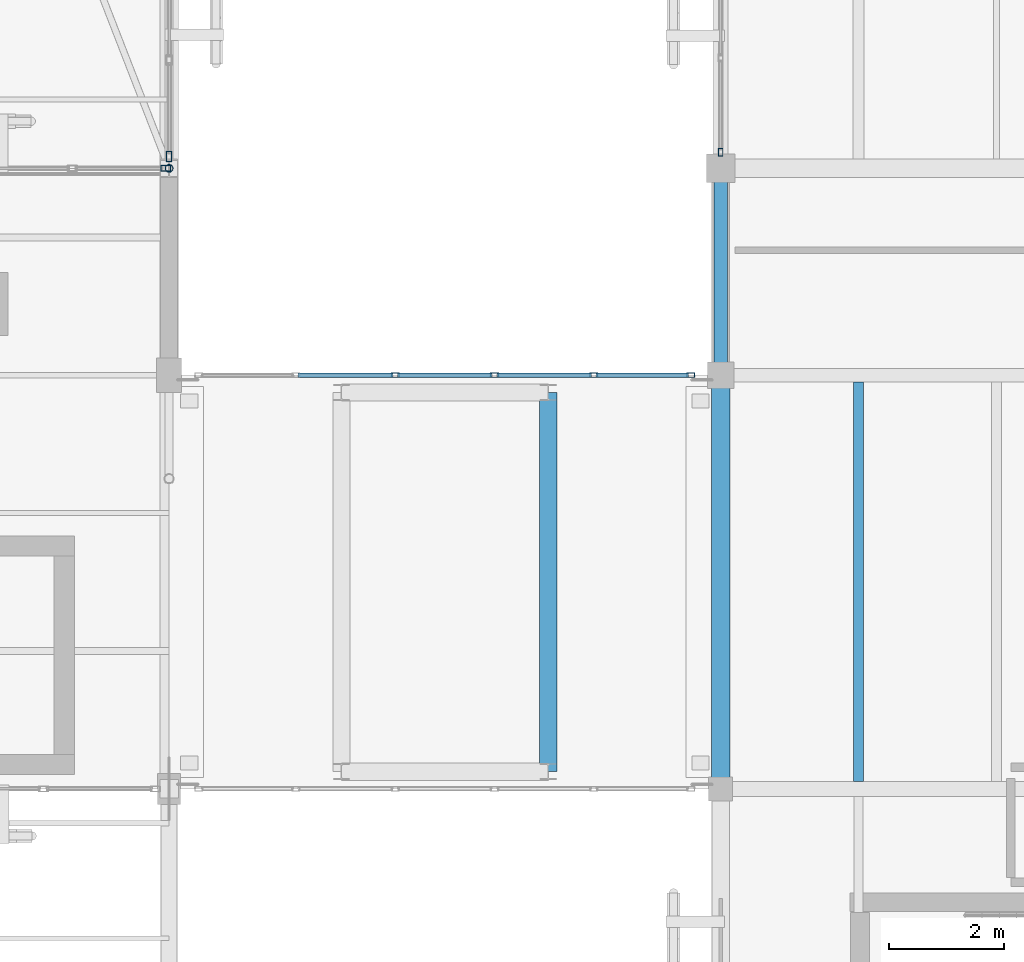
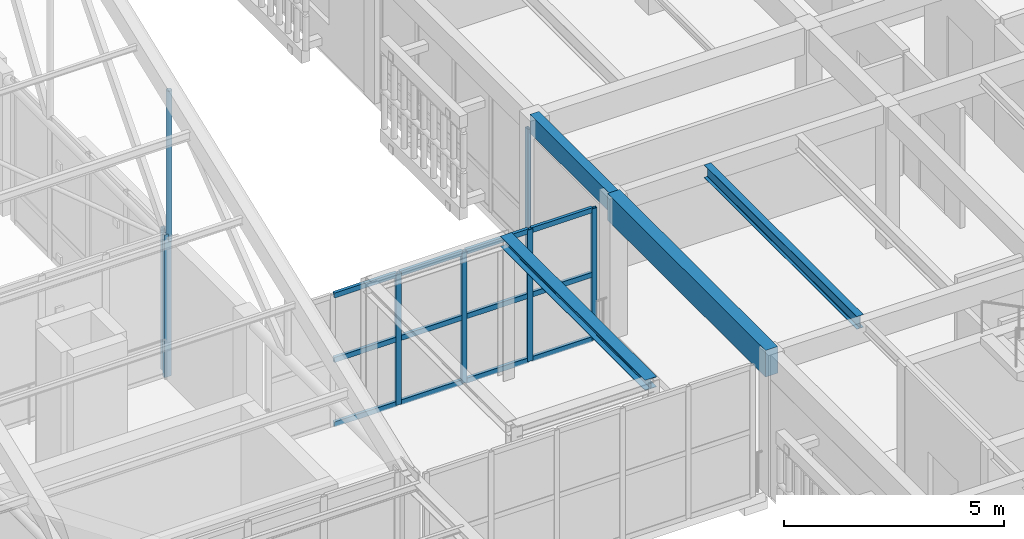
# One storey, part 109 of 217: 20 members, 4 beams, 4 elements without a shape of their own.
"""IFC4 building model written with IfcOpenShell, lengths in metres."""

import ifcopenshell
import ifcopenshell.guid

model = None  # the IFC model being written
_history = None  # IfcOwnerHistory: only IFC2X3 demands one
_inside = {}  # id of a spatial element -> (the spatial element, [elements in it])
_under = {}  # id of a project, library or spatial element -> (it, [spatial elements below it])
_declared = {}  # id of a project -> (the project, [libraries it declares])
_typed = {}  # id of a type object -> (the type object, [elements of that type])
_made_of = {}  # id of a material, layer set ... -> (it, [elements and type objects made of it])


def new_model(schema):
    """Start an empty IFC model of exactly this schema.

    Asked for "IFC4X3", IfcOpenShell would pick the latest addendum, in which some entities
    have other attributes; the version numbers below select the first issue.
    IFC2X3 requires an IfcOwnerHistory on every rooted entity: one is made here for all.
    """
    global model, _history
    if schema == "IFC4X3":
        model = ifcopenshell.file(schema_version=(4, 3, 0, 0))
    else:
        model = ifcopenshell.file(schema=schema)
    _inside.clear()
    _under.clear()
    _declared.clear()
    _typed.clear()
    _made_of.clear()
    _history = None
    if model.schema == "IFC2X3":
        org = make("IfcOrganization", Name="unknown")
        user = make(
            "IfcPersonAndOrganization",
            ThePerson=make("IfcPerson", FamilyName="unknown"),
            TheOrganization=org,
        )
        app = make(
            "IfcApplication",
            ApplicationDeveloper=org,
            Version="unknown",
            ApplicationFullName="unknown",
            ApplicationIdentifier="unknown",
        )
        _history = make(
            "IfcOwnerHistory",
            OwningUser=user,
            OwningApplication=app,
            ChangeAction="ADDED",
            CreationDate=0,
        )
    return model


def make(cls, **values):
    """One entity of the class cls with the attributes given. An attribute that is None is left unset."""
    return model.create_entity(
        cls, **{name: value for name, value in values.items() if value is not None}
    )


def rooted(cls, **values):
    """An entity with a GlobalId (a new one), such as an element, a storey or a relation."""
    return make(cls, GlobalId=ifcopenshell.guid.new(), OwnerHistory=_history, **values)


def si_unit(unit_type, name, prefix=None):
    """IfcSIUnit, for example si_unit("LENGTHUNIT", "METRE", prefix="MILLI")."""
    return make("IfcSIUnit", UnitType=unit_type, Prefix=prefix, Name=name)


def assignment(units):
    """IfcUnitAssignment: the units of a project."""
    return None if units is None else make("IfcUnitAssignment", Units=units)


def point(xyz):
    """IfcCartesianPoint."""
    return None if xyz is None else make("IfcCartesianPoint", Coordinates=xyz)


def direction(xyz):
    """IfcDirection."""
    return None if xyz is None else make("IfcDirection", DirectionRatios=xyz)


def frame(location, z_axis=None, x_axis=None):
    """IfcAxis2Placement3D, a coordinate frame: its origin and axes. An axis left out is left unset."""
    return make(
        "IfcAxis2Placement3D",
        Location=point(location),
        Axis=direction(z_axis),
        RefDirection=direction(x_axis),
    )


def frame_2d(location, x_axis=None):
    """IfcAxis2Placement2D, a coordinate frame in the plane: its origin and x axis."""
    return make(
        "IfcAxis2Placement2D", Location=point(location), RefDirection=direction(x_axis)
    )


def origin():
    """The frame at (0, 0, 0) with its axes left unset."""
    return frame((0.0, 0.0, 0.0))


def origin_2d():
    """The frame at (0, 0) in the plane with its x axis left unset."""
    return frame_2d((0.0, 0.0))


def place(relative_to, where):
    """IfcLocalPlacement: puts the frame where relative to a parent placement (None: the world)."""
    return make(
        "IfcLocalPlacement", PlacementRelTo=relative_to, RelativePlacement=where
    )


def context(
    kind, dimensions, precision=None, world=None, true_north=None, identifier=None
):
    """IfcGeometricRepresentationContext, for example the 3D "Model" context."""
    return make(
        "IfcGeometricRepresentationContext",
        ContextIdentifier=identifier,
        ContextType=kind,
        CoordinateSpaceDimension=dimensions,
        Precision=precision,
        WorldCoordinateSystem=world,
        TrueNorth=true_north,
    )


def subcontext(parent, identifier, kind, view, scale=None):
    """IfcGeometricRepresentationSubContext, for example "Body" below "Model"."""
    return make(
        "IfcGeometricRepresentationSubContext",
        ContextIdentifier=identifier,
        ContextType=kind,
        ParentContext=parent,
        TargetScale=scale,
        TargetView=view,
    )


def project(units=None, contexts=None):
    """IfcProject with its units and contexts."""
    return rooted(
        "IfcProject",
        Name="project",
        RepresentationContexts=contexts,
        UnitsInContext=assignment(units),
    )


def spatial(cls, under=None, at=None, **own):
    """A site, building, storey or space (cls), placed at a placement, below another one or the project."""
    s = rooted(cls, ObjectPlacement=at, **own)
    if under is not None:
        _under.setdefault(under.id(), (under, []))[1].append(s)
    return s


def profile(cls, at=None, kind="AREA", **sizes):
    """A parametric profile (cls). Its sizes go by their IFC names, for example OverallWidth=200.0."""
    return make(cls, ProfileType=kind, Position=at, **sizes)


def rectangle(**sizes):
    """IfcRectangleProfileDef."""
    return profile("IfcRectangleProfileDef", **sizes)


def hollow_rectangle(**sizes):
    """IfcRectangleHollowProfileDef."""
    return profile("IfcRectangleHollowProfileDef", **sizes)


def hollow_circle(**sizes):
    """IfcCircleHollowProfileDef."""
    return profile("IfcCircleHollowProfileDef", **sizes)


def i_section(**sizes):
    """IfcIShapeProfileDef."""
    return profile("IfcIShapeProfileDef", **sizes)


def extrude(swept, where, along, depth):
    """IfcExtrudedAreaSolid: the profile swept, set in the frame where, extruded along a direction by depth."""
    return make(
        "IfcExtrudedAreaSolid",
        SweptArea=swept,
        Position=where,
        ExtrudedDirection=direction(along),
        Depth=depth,
    )


def shape(context_of_items, identifier, shape_type, items):
    """IfcShapeRepresentation: the items that make up one representation, for example the "Body"."""
    return make(
        "IfcShapeRepresentation",
        ContextOfItems=context_of_items,
        RepresentationIdentifier=identifier,
        RepresentationType=shape_type,
        Items=items,
    )


def material(Name=None, Category=None):
    """IfcMaterial."""
    return make("IfcMaterial", Name=Name, Category=Category)


def layer(
    of_material, thickness, ventilated=None, Name=None, Category=None, Priority=None
):
    """IfcMaterialLayer: one layer of a wall or slab, of a material (None: an air gap)."""
    return make(
        "IfcMaterialLayer",
        Material=of_material,
        LayerThickness=thickness,
        IsVentilated=ventilated,
        Name=Name,
        Category=Category,
        Priority=Priority,
    )


def layer_set(layers, Name=None):
    """IfcMaterialLayerSet."""
    return make("IfcMaterialLayerSet", MaterialLayers=layers, LayerSetName=Name)


def material_profile(
    of_material, cross_section, Name=None, Category=None, Priority=None
):
    """IfcMaterialProfile: a cross section and its material."""
    return make(
        "IfcMaterialProfile",
        Name=Name,
        Material=of_material,
        Profile=cross_section,
        Priority=Priority,
        Category=Category,
    )


def profile_set(profiles, Name=None, composite=None):
    """IfcMaterialProfileSet."""
    return make(
        "IfcMaterialProfileSet",
        Name=Name,
        MaterialProfiles=profiles,
        CompositeProfile=composite,
    )


def made_of(thing, what):
    """Note that an element or type object is made of a material, layer set ...; save() writes the relation."""
    if what is not None:
        _made_of.setdefault(what.id(), (what, []))[1].append(thing)
    return thing


def type_object(cls, material=None, **own):
    """A type object (cls), such as IfcWallType, which elements share."""
    return made_of(rooted(cls, **own), material)


def element(
    cls,
    number,
    at=None,
    inside=None,
    cuts=None,
    type_object=None,
    material=None,
    context=None,
    identifier="Body",
    shape_type=None,
    held_by="IfcProductDefinitionShape",
    body=None,
    shapes=None,
    **own,
):
    """One element of the class cls, such as IfcWall. Its Tag is "e" and its number.

    at: its placement. inside: the storey or other place that contains it. cuts: it is an
    opening in that element (IfcRelVoidsElement). A single representation is given by context,
    identifier, shape_type and body (its items); several are given by shapes. held_by: the class
    of the entity that holds the representations. save() writes the other relations.
    """
    e = rooted(cls, Tag="e%d" % number, ObjectPlacement=at, **own)
    if body is not None:
        shapes = [shape(context, identifier, shape_type, body)]
    if shapes is not None:
        e.Representation = make(held_by, Representations=shapes)
    if inside is not None:
        _inside.setdefault(inside.id(), (inside, []))[1].append(e)
    if cuts is not None:
        rooted(
            "IfcRelVoidsElement", RelatingBuildingElement=cuts, RelatedOpeningElement=e
        )
    if type_object is not None:
        _typed.setdefault(type_object.id(), (type_object, []))[1].append(e)
    return made_of(e, material)


def aggregate(whole, parts):
    """IfcRelAggregates: a whole, such as a stair, and the parts it consists of."""
    return rooted("IfcRelAggregates", RelatingObject=whole, RelatedObjects=parts)


def save(model, path):
    """Write the relations noted so far, then the file.

    IfcRelAggregates (storeys below a building ...), IfcRelContainedInSpatialStructure (elements
    in a storey), IfcRelDefinesByType, IfcRelAssociatesMaterial and IfcRelDeclares: one each for
    every whole, place, type object, material and project.
    """
    for whole, parts in _under.values():
        aggregate(whole, parts)
    for where, things in _inside.values():
        rooted(
            "IfcRelContainedInSpatialStructure",
            RelatedElements=things,
            RelatingStructure=where,
        )
    for kind, things in _typed.values():
        rooted("IfcRelDefinesByType", RelatedObjects=things, RelatingType=kind)
    for what, things in _made_of.values():
        rooted("IfcRelAssociatesMaterial", RelatedObjects=things, RelatingMaterial=what)
    for by, libraries in _declared.values():
        rooted("IfcRelDeclares", RelatingContext=by, RelatedDefinitions=libraries)
    model.write(path)


model = new_model("IFC4")

# Units and contexts
model_context = context("Model", 3, precision=1e-05, world=origin(), true_north=direction((0.0, 1.0)))
body_context = subcontext(model_context, "Body", "Model", "MODEL_VIEW")
ifc_project = project(units=[si_unit("LENGTHUNIT", "METRE"), si_unit("AREAUNIT", "SQUARE_METRE"), si_unit("VOLUMEUNIT", "CUBIC_METRE"), si_unit("PLANEANGLEUNIT", "RADIAN"), si_unit("MASSUNIT", "GRAM", prefix="KILO")], contexts=[model_context])

# Site, building, storey
site_placement = place(None, origin())
site = spatial("IfcSite", under=ifc_project, at=site_placement, CompositionType="ELEMENT")
building_placement = place(site_placement, origin())
building = spatial("IfcBuilding", under=site, at=building_placement, Name="Mazaris Harbour Polytechnic", CompositionType="ELEMENT")
storey_placement = place(building_placement, frame((0.0, 0.0, 9.60009765625)))
storey = spatial("IfcBuildingStorey", under=building, at=storey_placement, Name="L02", CompositionType="ELEMENT", Elevation=9.60009765625)

# Curtain wall, member
ifc_material_1 = material(Name="Anodised Bronze Aluminium and Low-E Glass", Category="aluminium")
ifc_layer_1 = layer(ifc_material_1, 0.14990234375, Name="Anodised Bronze Aluminium and Low-E Glass")
ifc_layer_set_1 = layer_set([ifc_layer_1], Name="Anodised Bronze Aluminium and Low-E Glass")
curtain_wall_type_1 = type_object("IfcCurtainWallType", Name="Workshop Clerestory Curtain Wall", PredefinedType="NOTDEFINED", material=ifc_layer_set_1)
curtain_wall_1_placement = place(storey_placement, origin())
curtain_wall_1 = element("IfcCurtainWall", 1, at=curtain_wall_1_placement, inside=storey, type_object=curtain_wall_type_1, Name="V1 L02 Curtain Wall 32", PredefinedType="NOTDEFINED")
ifc_material_2 = material(Name="Anodised Bronze Steel S355", Category="steel")
ifc_material_profile_1 = material_profile(ifc_material_2, hollow_rectangle(XDim=0.10009765625, YDim=0.179931640625, WallThickness=0.008056640625, at=origin_2d()), Name="RHS 100x180x8.0")
ifc_profile_set_1 = profile_set([ifc_material_profile_1], Name="Anodised Bronze Steel S355")
member_type_1 = type_object("IfcMemberType", Name="Curtain Mullion RHS100x180", PredefinedType="MULLION", material=ifc_profile_set_1)
member_1_placement = place(storey_placement, frame((112.741943359375, 86.39990234375, 0.0), z_axis=(0.0, 0.0, 1.0), x_axis=(0.0, 1.0, 0.0)))
member_1 = element("IfcMember", 2, at=member_1_placement, type_object=member_type_1, Name="CW-04 mullion 6", PredefinedType="MULLION", context=body_context, shape_type="SweptSolid", body=[
    extrude(hollow_rectangle(XDim=0.10009765625, YDim=0.179931640625, WallThickness=0.008056640625, at=origin_2d()), origin(), (0.0, 0.0, 1.0), 3.9599609375),
])
aggregate(curtain_wall_1, [member_1])

curtain_wall_2_placement = place(storey_placement, origin())
curtain_wall_2 = element("IfcCurtainWall", 3, at=curtain_wall_2_placement, inside=storey, type_object=curtain_wall_type_1, Name="V1 L02 Curtain Wall 35", PredefinedType="NOTDEFINED")
member_2_placement = place(storey_placement, frame((112.800048828125, 86.60693359375, 0.0), z_axis=(0.0, 0.0, 1.0), x_axis=(1.0, 0.0, 0.0)))
member_2 = element("IfcMember", 4, at=member_2_placement, type_object=member_type_1, Name="CW-04 mullion 5", PredefinedType="MULLION", context=body_context, shape_type="SweptSolid", body=[
    extrude(hollow_rectangle(XDim=0.10009765625, YDim=0.179931640625, WallThickness=0.008056640625, at=origin_2d()), origin(), (0.0, 0.0, 1.0), 3.9599609375),
])
aggregate(curtain_wall_2, [member_2])

ifc_material_3 = material(Name="Anodised Bronze Aluminium and Low-E Glass", Category="aluminium")
ifc_layer_2 = layer(ifc_material_3, 0.169921875, Name="Anodised Bronze Aluminium and Low-E Glass")
ifc_layer_set_2 = layer_set([ifc_layer_2], Name="Anodised Bronze Aluminium and Low-E Glass")
curtain_wall_type_2 = type_object("IfcCurtainWallType", Name="Studio North-Light Curtain Wall", PredefinedType="NOTDEFINED", material=ifc_layer_set_2)
curtain_wall_3_placement = place(storey_placement, origin())
curtain_wall_3 = element("IfcCurtainWall", 5, at=curtain_wall_3_placement, inside=storey, type_object=curtain_wall_type_2, Name="V5 L02 Curtain Wall 233", PredefinedType="NOTDEFINED")
ifc_material_4 = material(Name="Anodised Bronze Steel S355", Category="steel")
ifc_material_profile_2 = material_profile(ifc_material_4, hollow_rectangle(XDim=0.080078125, YDim=0.139892578125, WallThickness=0.00634765625, at=origin_2d()), Name="RHS 80x140x6.3")
ifc_profile_set_2 = profile_set([ifc_material_profile_2], Name="Anodised Bronze Steel S355")
member_type_2 = type_object("IfcMemberType", Name="Curtain Mullion RHS80x140", PredefinedType="MULLION", material=ifc_profile_set_2)
member_3_placement = place(storey_placement, frame((122.39990234375, 86.681884765625, 0.0), z_axis=(0.0, 0.0, 1.0), x_axis=(-1.0, 0.0, 0.0)))
member_3 = element("IfcMember", 6, at=member_3_placement, type_object=member_type_2, Name="CW-03 mullion 1", PredefinedType="MULLION", context=body_context, shape_type="SweptSolid", body=[
    extrude(hollow_rectangle(XDim=0.080078125, YDim=0.139892578125, WallThickness=0.00634765625, at=origin_2d()), origin(), (0.0, 0.0, 1.0), 3.329833984375),
])
aggregate(curtain_wall_3, [member_3])

# Curtain wall, members
ifc_material_5 = material(Name="Anodised Bronze Aluminium and Low-E Glass", Category="aluminium")
ifc_layer_3 = layer(ifc_material_5, 0.139892578125, Name="Anodised Bronze Aluminium and Low-E Glass")
ifc_layer_set_3 = layer_set([ifc_layer_3], Name="Anodised Bronze Aluminium and Low-E Glass")
curtain_wall_type_3 = type_object("IfcCurtainWallType", Name="Seismic Link Bridge Glazing", PredefinedType="NOTDEFINED", material=ifc_layer_set_3)
curtain_wall_4_placement = place(storey_placement, origin())
curtain_wall_4 = element("IfcCurtainWall", 7, at=curtain_wall_4_placement, inside=storey, type_object=curtain_wall_type_3, Name="PB-E2 L02 Bridge Glazing", PredefinedType="NOTDEFINED")
member_4_placement = place(storey_placement, frame((121.8798828125, 82.800048828125, 0.0), z_axis=(0.0, 0.0, 1.0), x_axis=(0.0, -1.0, 0.0)))
member_4 = element("IfcMember", 8, at=member_4_placement, type_object=member_type_2, Name="CW-05 mullion 1", PredefinedType="MULLION", context=body_context, shape_type="SweptSolid", body=[
    extrude(hollow_rectangle(XDim=0.080078125, YDim=0.139892578125, WallThickness=0.00634765625, at=origin_2d()), origin(), (0.0, 0.0, 1.0), 3.659912109375),
])
member_5_placement = place(storey_placement, frame((120.19189453125, 82.800048828125, 0.0), z_axis=(0.0, 0.0, 1.0), x_axis=(0.0, -1.0, 0.0)))
member_5 = element("IfcMember", 9, at=member_5_placement, type_object=member_type_2, Name="CW-05 mullion 2", PredefinedType="MULLION", context=body_context, shape_type="SweptSolid", body=[
    extrude(hollow_rectangle(XDim=0.080078125, YDim=0.139892578125, WallThickness=0.00634765625, at=origin_2d()), origin(), (0.0, 0.0, 1.0), 3.659912109375),
])
member_6_placement = place(storey_placement, frame((118.464111328125, 82.800048828125, 0.0), z_axis=(0.0, 0.0, 1.0), x_axis=(0.0, -1.0, 0.0)))
member_6 = element("IfcMember", 10, at=member_6_placement, type_object=member_type_2, Name="CW-05 mullion 3", PredefinedType="MULLION", context=body_context, shape_type="SweptSolid", body=[
    extrude(hollow_rectangle(XDim=0.080078125, YDim=0.139892578125, WallThickness=0.00634765625, at=origin_2d()), origin(), (0.0, 0.0, 1.0), 3.659912109375),
])
member_7_placement = place(storey_placement, frame((116.736083984375, 82.800048828125, 0.0), z_axis=(0.0, 0.0, 1.0), x_axis=(0.0, -1.0, 0.0)))
member_7 = element("IfcMember", 11, at=member_7_placement, type_object=member_type_2, Name="CW-05 mullion 4", PredefinedType="MULLION", context=body_context, shape_type="SweptSolid", body=[
    extrude(hollow_rectangle(XDim=0.080078125, YDim=0.139892578125, WallThickness=0.00634765625, at=origin_2d()), origin(), (0.0, 0.0, 1.0), 3.659912109375),
])
ifc_material_6 = material(Name="Anodised Bronze Steel S355", Category="steel")
ifc_material_profile_3 = material_profile(ifc_material_6, hollow_rectangle(XDim=0.080078125, YDim=0.139892578125, WallThickness=0.00634765625, at=origin_2d()), Name="RHS 80x140x6.3")
ifc_profile_set_3 = profile_set([ifc_material_profile_3], Name="Anodised Bronze Steel S355")
member_type_3 = type_object("IfcMemberType", Name="Curtain Transom RHS80x140", PredefinedType="USERDEFINED", material=ifc_profile_set_3)
member_8_placement = place(storey_placement, frame((121.840087890625, 82.800048828125, 0.039794921875), z_axis=(-1.0, 0.0, 0.0), x_axis=(0.0, -1.0, 0.0)))
member_8 = element("IfcMember", 12, at=member_8_placement, type_object=member_type_3, Name="CW-05 transom 1.1", ObjectType="TRANSOM", PredefinedType="USERDEFINED", context=body_context, shape_type="SweptSolid", body=[
    extrude(hollow_rectangle(XDim=0.080078125, YDim=0.139892578125, WallThickness=0.00634765625, at=origin_2d()), origin(), (0.0, 0.0, 1.0), 1.608154296875),
])
member_9_placement = place(storey_placement, frame((121.840087890625, 82.800048828125, 1.829833984375), z_axis=(-1.0, 0.0, 0.0), x_axis=(0.0, -1.0, 0.0)))
member_9 = element("IfcMember", 13, at=member_9_placement, type_object=member_type_3, Name="CW-05 transom 1.2", ObjectType="TRANSOM", PredefinedType="USERDEFINED", context=body_context, shape_type="SweptSolid", body=[
    extrude(hollow_rectangle(XDim=0.080078125, YDim=0.139892578125, WallThickness=0.00634765625, at=origin_2d()), origin(), (0.0, 0.0, 1.0), 1.608154296875),
])
member_10_placement = place(storey_placement, frame((121.840087890625, 82.800048828125, 3.619873046875), z_axis=(-1.0, 0.0, 0.0), x_axis=(0.0, -1.0, 0.0)))
member_10 = element("IfcMember", 14, at=member_10_placement, type_object=member_type_3, Name="CW-05 transom 1.3", ObjectType="TRANSOM", PredefinedType="USERDEFINED", context=body_context, shape_type="SweptSolid", body=[
    extrude(hollow_rectangle(XDim=0.080078125, YDim=0.139892578125, WallThickness=0.00634765625, at=origin_2d()), origin(), (0.0, 0.0, 1.0), 1.608154296875),
])
member_11_placement = place(storey_placement, frame((120.152099609375, 82.800048828125, 0.039794921875), z_axis=(-1.0, 0.0, 0.0), x_axis=(0.0, -1.0, 0.0)))
member_11 = element("IfcMember", 15, at=member_11_placement, type_object=member_type_3, Name="CW-05 transom 2.1", ObjectType="TRANSOM", PredefinedType="USERDEFINED", context=body_context, shape_type="SweptSolid", body=[
    extrude(hollow_rectangle(XDim=0.080078125, YDim=0.139892578125, WallThickness=0.00634765625, at=origin_2d()), origin(), (0.0, 0.0, 1.0), 1.648193359375),
])
member_12_placement = place(storey_placement, frame((120.152099609375, 82.800048828125, 1.829833984375), z_axis=(-1.0, 0.0, 0.0), x_axis=(0.0, -1.0, 0.0)))
member_12 = element("IfcMember", 16, at=member_12_placement, type_object=member_type_3, Name="CW-05 transom 2.2", ObjectType="TRANSOM", PredefinedType="USERDEFINED", context=body_context, shape_type="SweptSolid", body=[
    extrude(hollow_rectangle(XDim=0.080078125, YDim=0.139892578125, WallThickness=0.00634765625, at=origin_2d()), origin(), (0.0, 0.0, 1.0), 1.648193359375),
])
member_13_placement = place(storey_placement, frame((120.152099609375, 82.800048828125, 3.619873046875), z_axis=(-1.0, 0.0, 0.0), x_axis=(0.0, -1.0, 0.0)))
member_13 = element("IfcMember", 17, at=member_13_placement, type_object=member_type_3, Name="CW-05 transom 2.3", ObjectType="TRANSOM", PredefinedType="USERDEFINED", context=body_context, shape_type="SweptSolid", body=[
    extrude(hollow_rectangle(XDim=0.080078125, YDim=0.139892578125, WallThickness=0.00634765625, at=origin_2d()), origin(), (0.0, 0.0, 1.0), 1.648193359375),
])
member_14_placement = place(storey_placement, frame((118.424072265625, 82.800048828125, 0.039794921875), z_axis=(-1.0, 0.0, 0.0), x_axis=(0.0, -1.0, 0.0)))
member_14 = element("IfcMember", 18, at=member_14_placement, type_object=member_type_3, Name="CW-05 transom 3.1", ObjectType="TRANSOM", PredefinedType="USERDEFINED", context=body_context, shape_type="SweptSolid", body=[
    extrude(hollow_rectangle(XDim=0.080078125, YDim=0.139892578125, WallThickness=0.00634765625, at=origin_2d()), origin(), (0.0, 0.0, 1.0), 1.648193359375),
])
member_15_placement = place(storey_placement, frame((118.424072265625, 82.800048828125, 1.829833984375), z_axis=(-1.0, 0.0, 0.0), x_axis=(0.0, -1.0, 0.0)))
member_15 = element("IfcMember", 19, at=member_15_placement, type_object=member_type_3, Name="CW-05 transom 3.2", ObjectType="TRANSOM", PredefinedType="USERDEFINED", context=body_context, shape_type="SweptSolid", body=[
    extrude(hollow_rectangle(XDim=0.080078125, YDim=0.139892578125, WallThickness=0.00634765625, at=origin_2d()), origin(), (0.0, 0.0, 1.0), 1.648193359375),
])
member_16_placement = place(storey_placement, frame((118.424072265625, 82.800048828125, 3.619873046875), z_axis=(-1.0, 0.0, 0.0), x_axis=(0.0, -1.0, 0.0)))
member_16 = element("IfcMember", 20, at=member_16_placement, type_object=member_type_3, Name="CW-05 transom 3.3", ObjectType="TRANSOM", PredefinedType="USERDEFINED", context=body_context, shape_type="SweptSolid", body=[
    extrude(hollow_rectangle(XDim=0.080078125, YDim=0.139892578125, WallThickness=0.00634765625, at=origin_2d()), origin(), (0.0, 0.0, 1.0), 1.648193359375),
])
member_17_placement = place(storey_placement, frame((116.696044921875, 82.800048828125, 0.039794921875), z_axis=(-1.0, 0.0, 0.0), x_axis=(0.0, -1.0, 0.0)))
member_17 = element("IfcMember", 21, at=member_17_placement, type_object=member_type_3, Name="CW-05 transom 4.1", ObjectType="TRANSOM", PredefinedType="USERDEFINED", context=body_context, shape_type="SweptSolid", body=[
    extrude(hollow_rectangle(XDim=0.080078125, YDim=0.139892578125, WallThickness=0.00634765625, at=origin_2d()), origin(), (0.0, 0.0, 1.0), 1.64794921875),
])
member_18_placement = place(storey_placement, frame((116.696044921875, 82.800048828125, 1.829833984375), z_axis=(-1.0, 0.0, 0.0), x_axis=(0.0, -1.0, 0.0)))
member_18 = element("IfcMember", 22, at=member_18_placement, type_object=member_type_3, Name="CW-05 transom 4.2", ObjectType="TRANSOM", PredefinedType="USERDEFINED", context=body_context, shape_type="SweptSolid", body=[
    extrude(hollow_rectangle(XDim=0.080078125, YDim=0.139892578125, WallThickness=0.00634765625, at=origin_2d()), origin(), (0.0, 0.0, 1.0), 1.64794921875),
])
member_19_placement = place(storey_placement, frame((116.696044921875, 82.800048828125, 3.619873046875), z_axis=(-1.0, 0.0, 0.0), x_axis=(0.0, -1.0, 0.0)))
member_19 = element("IfcMember", 23, at=member_19_placement, type_object=member_type_3, Name="CW-05 transom 4.3", ObjectType="TRANSOM", PredefinedType="USERDEFINED", context=body_context, shape_type="SweptSolid", body=[
    extrude(hollow_rectangle(XDim=0.080078125, YDim=0.139892578125, WallThickness=0.00634765625, at=origin_2d()), origin(), (0.0, 0.0, 1.0), 1.64794921875),
])
aggregate(curtain_wall_4, [member_4, member_5, member_6, member_7, member_8, member_9, member_10, member_11, member_12, member_13, member_14, member_15, member_16, member_17, member_18, member_19])

# Beams
ifc_material_7 = material(Name="Glulam GL32h", Category="wood")
ifc_material_profile_4 = material_profile(ifc_material_7, rectangle(XDim=0.239990234375, YDim=0.52001953125, at=origin_2d()), Name="RECT240x520")
ifc_profile_set_4 = profile_set([ifc_material_profile_4], Name="Glulam GL32h")
beam_type_1 = type_object("IfcBeamType", Name="Glulam Girder 240x520 Exterior", PredefinedType="BEAM", material=ifc_profile_set_4)
beam_1_placement = place(storey_placement, frame((122.39990234375, 82.800048828125, 3.659912109375), z_axis=(0.0, 1.0, 0.0), x_axis=(-1.0, 0.0, 0.0)))
element("IfcBeam", 24, at=beam_1_placement, inside=storey, type_object=beam_type_1, Name="V5 L02 Tie Girder 3175", PredefinedType="BEAM", context=body_context, shape_type="SweptSolid", body=[
    extrude(rectangle(XDim=0.239990234375, YDim=0.52001953125, at=origin_2d()), origin(), (0.0, 0.0, 1.0), 3.599853515625),
])
ifc_material_8 = material(Name="Glulam GL32h", Category="wood")
ifc_material_profile_5 = material_profile(ifc_material_8, rectangle(XDim=0.320068359375, YDim=0.739990234375, at=origin_2d()), Name="RECT320x740")
ifc_profile_set_5 = profile_set([ifc_material_profile_5], Name="Glulam GL32h")
beam_type_2 = type_object("IfcBeamType", Name="Glulam Girder 320x740 Exterior", PredefinedType="BEAM", material=ifc_profile_set_5)
beam_2_placement = place(storey_placement, frame((122.39990234375, 75.60009765625, 3.5498046875), z_axis=(0.0, 1.0, 0.0), x_axis=(-1.0, 0.0, 0.0)))
element("IfcBeam", 25, at=beam_2_placement, inside=storey, type_object=beam_type_2, Name="V5 L02 Tie Girder 3174", PredefinedType="BEAM", context=body_context, shape_type="SweptSolid", body=[
    extrude(rectangle(XDim=0.320068359375, YDim=0.739990234375, at=origin_2d()), origin(), (0.0, 0.0, 1.0), 7.199951171875),
])
ifc_material_9 = material(Name="Steel S355", Category="steel")
ifc_material_profile_6 = material_profile(ifc_material_9, i_section(OverallWidth=0.300048828125, OverallDepth=0.2900390625, WebThickness=0.008544921875, FlangeThickness=0.013916015625, FilletRadius=0.027099609375, at=origin_2d()), Name="HEA 300")
ifc_profile_set_6 = profile_set([ifc_material_profile_6], Name="Steel S355")
beam_type_3 = type_object("IfcBeamType", Name="Steel Beam HEA300 Exterior", PredefinedType="SPANDREL", material=ifc_profile_set_6)
beam_3_placement = place(storey_placement, frame((119.39990234375, 75.89990234375, 3.81494140625), z_axis=(0.0, 1.0, 0.0), x_axis=(-1.0, 0.0, 0.0)))
element("IfcBeam", 26, at=beam_3_placement, inside=storey, type_object=beam_type_3, Name="PB-E2 L02 Bridge Beam 3469", PredefinedType="SPANDREL", context=body_context, shape_type="SweptSolid", body=[
    extrude(i_section(OverallWidth=0.300048828125, OverallDepth=0.2900390625, WebThickness=0.008544921875, FlangeThickness=0.013916015625, FilletRadius=0.027099609375, at=origin_2d()), origin(), (0.0, 0.0, 1.0), 6.60009765625),
])
ifc_material_10 = material(Name="Steel S355", Category="steel")
ifc_material_profile_7 = material_profile(ifc_material_10, i_section(OverallWidth=0.169921875, OverallDepth=0.360107421875, WebThickness=0.008056640625, FlangeThickness=0.0126953125, FilletRadius=0.01806640625, at=origin_2d()), Name="IPE 360")
ifc_profile_set_7 = profile_set([ifc_material_profile_7], Name="Steel S355")
beam_type_4 = type_object("IfcBeamType", Name="Steel Joist IPE360", PredefinedType="JOIST", material=ifc_profile_set_7)
beam_4_placement = place(storey_placement, frame((124.800048828125, 75.72998046875, 3.739990234375), z_axis=(0.0, 1.0, 0.0), x_axis=(-1.0, 0.0, 0.0)))
element("IfcBeam", 27, at=beam_4_placement, inside=storey, type_object=beam_type_4, Name="V5 L02 Floor Joist 3231", PredefinedType="JOIST", context=body_context, shape_type="SweptSolid", body=[
    extrude(i_section(OverallWidth=0.169921875, OverallDepth=0.360107421875, WebThickness=0.008056640625, FlangeThickness=0.0126953125, FilletRadius=0.01806640625, at=origin_2d()), origin(), (0.0, 0.0, 1.0), 6.949951171875),
])

# Member
ifc_material_11 = material(Name="Steel S355", Category="steel")
ifc_material_profile_8 = material_profile(ifc_material_11, hollow_circle(Radius=0.06982421875, WallThickness=0.008056640625, at=origin_2d()), Name="CHS 139.7x8.0")
ifc_profile_set_8 = profile_set([ifc_material_profile_8], Name="Steel S355")
member_type_4 = type_object("IfcMemberType", Name="Steel Truss Strut CHS139", PredefinedType="STRUT", material=ifc_profile_set_8)
member_20_placement = place(storey_placement, frame((112.800048828125, 86.39990234375, 3.75), z_axis=(0.0, 0.0, 1.0), x_axis=(1.0, 0.0, 0.0)))
element("IfcMember", 28, at=member_20_placement, inside=storey, type_object=member_type_4, Name="Truss 8 Web Post S2", PredefinedType="STRUT", context=body_context, shape_type="SweptSolid", body=[
    extrude(hollow_circle(Radius=0.06982421875, WallThickness=0.008056640625, at=origin_2d()), origin(), (0.0, 0.0, 1.0), 4.1748046875),
])

save(model, "model.ifc")
